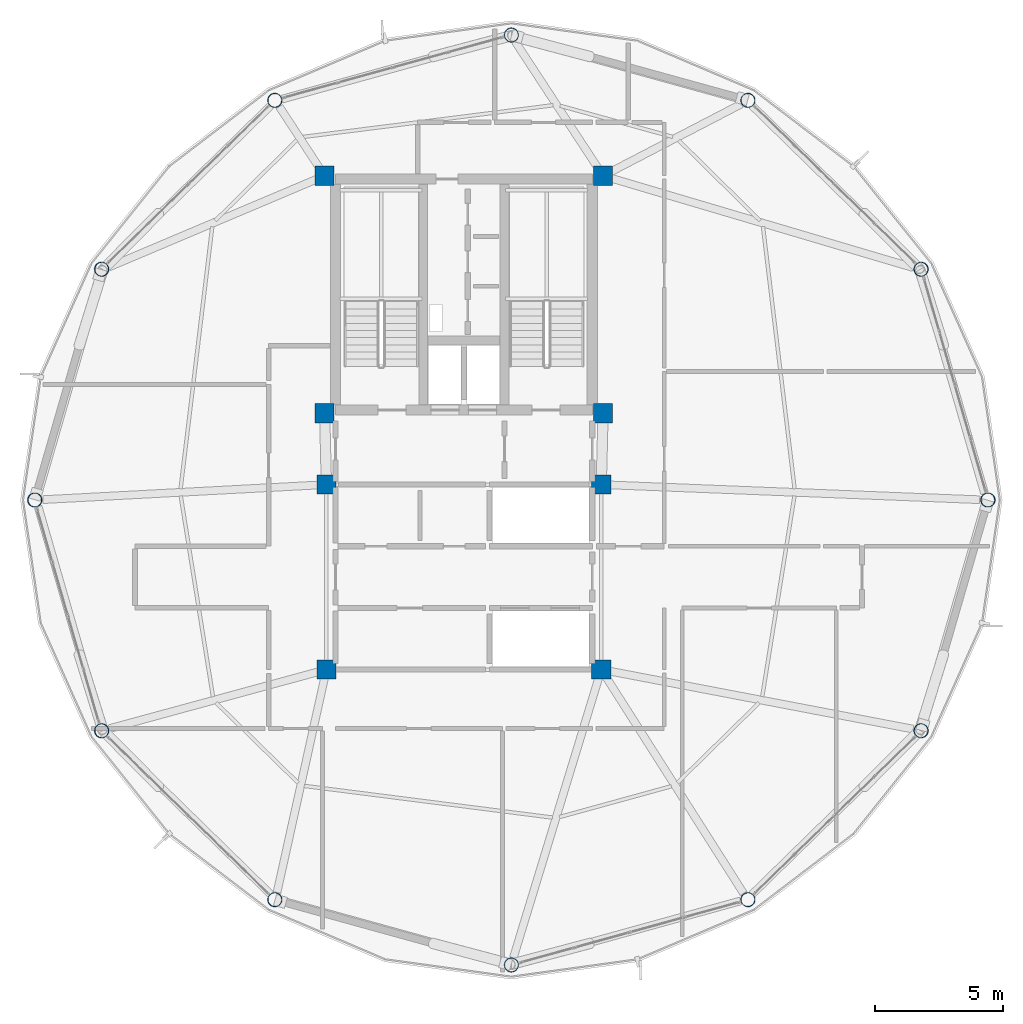
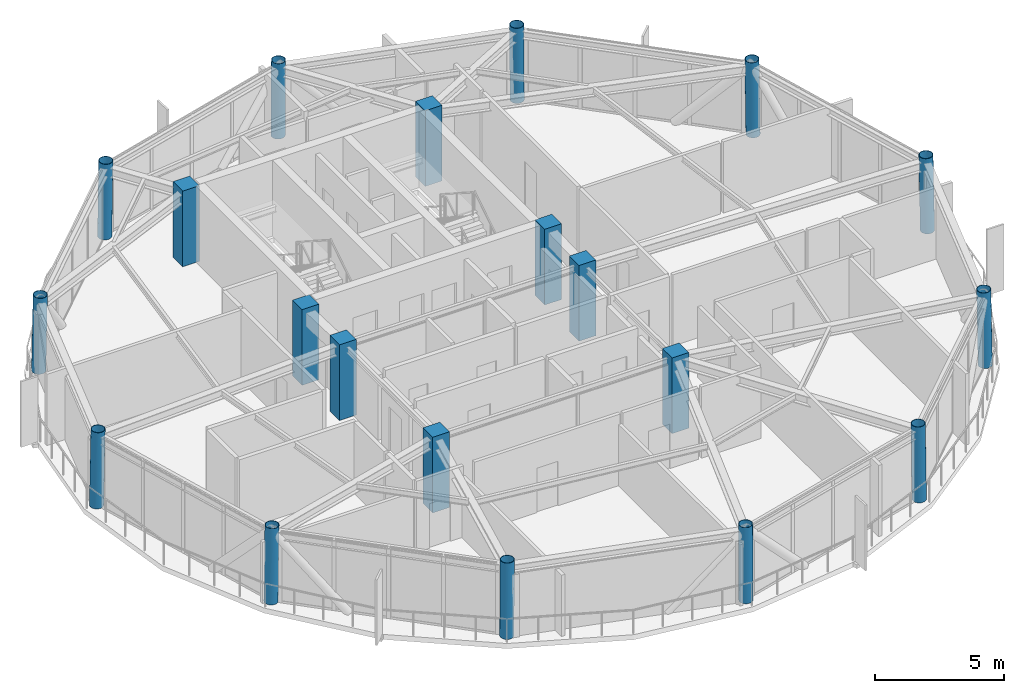
# One storey, part 1 of 27: 20 columns.
"""IFC4 building model written with IfcOpenShell, lengths in metres."""

from ifc_helpers import new_model, si_unit, direction, frame, origin, origin_2d, place, context, subcontext, project, spatial, rectangle, hollow_circle, extrude, material, material_profile, profile_set, type_object, element, save


model = new_model("IFC4")

# Units and contexts
model_context = context("Model", 3, precision=1e-05, world=origin(), true_north=direction((0.0, 1.0)))
body_context = subcontext(model_context, "Body", "Model", "MODEL_VIEW")
ifc_project = project(units=[si_unit("LENGTHUNIT", "METRE"), si_unit("AREAUNIT", "SQUARE_METRE"), si_unit("VOLUMEUNIT", "CUBIC_METRE"), si_unit("PLANEANGLEUNIT", "RADIAN"), si_unit("MASSUNIT", "GRAM", prefix="KILO")], contexts=[model_context])

# Site, building, storey
site_placement = place(None, origin())
site = spatial("IfcSite", under=ifc_project, at=site_placement, CompositionType="ELEMENT")
building_placement = place(site_placement, origin())
building = spatial("IfcBuilding", under=site, at=building_placement, Name="Varnakorn Sky Granary", CompositionType="ELEMENT")
storey_placement = place(building_placement, frame((0.0, 0.0, 245.39990234375)))
storey = spatial("IfcBuildingStorey", under=building, at=storey_placement, Name="L62", CompositionType="ELEMENT", Elevation=245.39990234375)

# Columns
ifc_material_1 = material(Name="Steel S460M", Category="steel")
ifc_material_profile_1 = material_profile(ifc_material_1, hollow_circle(Radius=0.279541015625, WallThickness=0.02001953125, at=origin_2d()), Name="CHS 559x20")
ifc_profile_set_1 = profile_set([ifc_material_profile_1], Name="Steel S460M")
column_type_1 = type_object("IfcColumnType", Name="COL-DC-Z5", PredefinedType="COLUMN", material=ifc_profile_set_1)
column_1_placement = place(storey_placement, frame((23.4130859375, 0.0, 0.0), z_axis=(-0.01904871465, 0.0, 0.999818556774), x_axis=(0.0, -1.0, 0.0)))
element("IfcColumn", 1, at=column_1_placement, inside=storey, type_object=column_type_1, Name="Drum Perimeter Column DC01 L62", PredefinedType="COLUMN", context=body_context, shape_type="SweptSolid", body=[
    extrude(hollow_circle(Radius=0.279541015625, WallThickness=0.02001953125, at=origin_2d()), origin(), (0.0, 0.0, 1.0), 3.575927734375),
])
column_2_placement = place(storey_placement, frame((20.80908203125, 8.985595703125, 0.0), z_axis=(-0.016454846564, -0.004642861271, 0.999853830249), x_axis=(0.271555014366, -0.962422918562, 0.0)))
element("IfcColumn", 2, at=column_2_placement, inside=storey, type_object=column_type_1, Name="Drum Perimeter Column DC02 L62", PredefinedType="COLUMN", context=body_context, shape_type="SweptSolid", body=[
    extrude(hollow_circle(Radius=0.279541015625, WallThickness=0.02001953125, at=origin_2d()), origin(), (0.0, 0.0, 1.0), 3.57568359375),
])
for number, where, z_axis, x_axis, name in (
    (3, (14.06396484375, 15.563232421875, 0.0), (-0.00949121678, -0.007920727673, 0.999923586519), (0.640727535954, -0.767768340497, 0.0), "Drum Perimeter Column DC03 L62"),
    (4, (4.85009765625, 18.10595703125, 0.0), (0.0, -0.00921840097, 0.999957509639), (1.0, 0.0, 0.0), "Drum Perimeter Column DC04 L62"),
    (5, (-4.364013671875, 15.563232421875, 0.0), (0.00949121678, -0.007920727673, 0.999923586519), (0.640727535954, 0.767768340497, 0.0), "Drum Perimeter Column DC05 L62"),
):
    element("IfcColumn", number, at=place(storey_placement, frame(where, z_axis=z_axis, x_axis=x_axis)), inside=storey, type_object=column_type_1, Name=name, PredefinedType="COLUMN", context=body_context, shape_type="SweptSolid", body=[
        extrude(hollow_circle(Radius=0.279541015625, WallThickness=0.02001953125, at=origin_2d()), origin(), (0.0, 0.0, 1.0), 3.575439453125),
    ])
column_3_placement = place(storey_placement, frame((-11.109130859375, 8.985595703125, 0.0), z_axis=(0.016454846564, -0.004642861271, 0.999853830249), x_axis=(0.271555014366, 0.962422918562, 0.0)))
element("IfcColumn", 6, at=column_3_placement, inside=storey, type_object=column_type_1, Name="Drum Perimeter Column DC06 L62", PredefinedType="COLUMN", context=body_context, shape_type="SweptSolid", body=[
    extrude(hollow_circle(Radius=0.279541015625, WallThickness=0.02001953125, at=origin_2d()), origin(), (0.0, 0.0, 1.0), 3.57568359375),
])
column_4_placement = place(storey_placement, frame((-13.712890625, 0.0, 0.0), z_axis=(0.018980464328, 0.0, 0.999819854761), x_axis=(0.0, 1.0, 0.0)))
element("IfcColumn", 7, at=column_4_placement, inside=storey, type_object=column_type_1, Name="Drum Perimeter Column DC07 L62", PredefinedType="COLUMN", context=body_context, shape_type="SweptSolid", body=[
    extrude(hollow_circle(Radius=0.279541015625, WallThickness=0.02001953125, at=origin_2d()), origin(), (0.0, 0.0, 1.0), 3.575927734375),
])
column_5_placement = place(storey_placement, frame((-11.109130859375, -8.985595703125, 0.0), z_axis=(0.016454846564, 0.004642861271, 0.999853830249), x_axis=(-0.271555014366, 0.962422918562, 0.0)))
element("IfcColumn", 8, at=column_5_placement, inside=storey, type_object=column_type_1, Name="Drum Perimeter Column DC08 L62", PredefinedType="COLUMN", context=body_context, shape_type="SweptSolid", body=[
    extrude(hollow_circle(Radius=0.279541015625, WallThickness=0.02001953125, at=origin_2d()), origin(), (0.0, 0.0, 1.0), 3.57568359375),
])
for number, where, z_axis, x_axis, name in (
    (9, (-4.364013671875, -15.563232421875, 0.0), (0.00949121678, 0.007920727673, 0.999923586519), (-0.640727535954, 0.767768340497, 0.0), "Drum Perimeter Column DC09 L62"),
    (10, (4.85009765625, -18.10595703125, 0.0), (0.0, 0.00921840097, 0.999957509639), (-1.0, 0.0, 0.0), "Drum Perimeter Column DC10 L62"),
    (11, (14.06396484375, -15.563232421875, 0.0), (-0.00949121678, 0.007920727673, 0.999923586519), (-0.640727535954, -0.767768340497, 0.0), "Drum Perimeter Column DC11 L62"),
):
    element("IfcColumn", number, at=place(storey_placement, frame(where, z_axis=z_axis, x_axis=x_axis)), inside=storey, type_object=column_type_1, Name=name, PredefinedType="COLUMN", context=body_context, shape_type="SweptSolid", body=[
        extrude(hollow_circle(Radius=0.279541015625, WallThickness=0.02001953125, at=origin_2d()), origin(), (0.0, 0.0, 1.0), 3.575439453125),
    ])
column_6_placement = place(storey_placement, frame((20.80908203125, -8.985595703125, 0.0), z_axis=(-0.016454846564, 0.004642861271, 0.999853830249), x_axis=(-0.271555014366, -0.962422918562, 0.0)))
element("IfcColumn", 12, at=column_6_placement, inside=storey, type_object=column_type_1, Name="Drum Perimeter Column DC12 L62", PredefinedType="COLUMN", context=body_context, shape_type="SweptSolid", body=[
    extrude(hollow_circle(Radius=0.279541015625, WallThickness=0.02001953125, at=origin_2d()), origin(), (0.0, 0.0, 1.0), 3.57568359375),
])
ifc_material_2 = material(Name="Concrete C50/60", Category="concrete")
ifc_material_profile_2 = material_profile(ifc_material_2, rectangle(XDim=0.75, YDim=0.75, at=origin_2d()), Name="RC 750x750")
ifc_profile_set_2 = profile_set([ifc_material_profile_2], Name="Concrete C50/60")
column_type_2 = type_object("IfcColumnType", Name="COL-MC-Z5", PredefinedType="COLUMN", material=ifc_profile_set_2)
for number, where, z_axis, x_axis, name in (
    (13, (-2.419921875, 12.6201171875, 0.0), (0.0, 0.0, 1.0), (1.0, 0.0, 0.0), "Backbone Mega-Column MC1 L62"),
    (14, (8.419921875, 12.6201171875, 0.0), (0.0, 0.0, 1.0), (1.0, 0.0, 0.0), "Backbone Mega-Column MC2 L62"),
    (15, (-2.419921875, 3.3798828125, 0.0), (0.0, 0.0, 1.0), (1.0, 0.0, 0.0), "Backbone Mega-Column MC3 L62"),
    (16, (8.419921875, 3.3798828125, 0.0), (0.0, 0.0, 1.0), (1.0, 0.0, 0.0), "Backbone Mega-Column MC4 L62"),
    (17, (-2.35009765625, 0.60009765625, 0.0), (0.0, 0.0, 1.0), (1.0, 0.0, 0.0), "Backbone Mega-Column MC5 L62"),
    (18, (8.35009765625, 0.60009765625, 0.0), (0.0, 0.0, 1.0), (1.0, 0.0, 0.0), "Backbone Mega-Column MC6 L62"),
    (19, (-2.35009765625, -6.60009765625, 0.0), (0.0, 0.0, 1.0), (1.0, 0.0, 0.0), "Backbone Mega-Column MC7 L62"),
    (20, (8.35009765625, -6.60009765625, 0.0), (0.0, 0.0, 1.0), (1.0, 0.0, 0.0), "Backbone Mega-Column MC8 L62"),
):
    element("IfcColumn", number, at=place(storey_placement, frame(where, z_axis=z_axis, x_axis=x_axis)), inside=storey, type_object=column_type_2, Name=name, PredefinedType="COLUMN", context=body_context, shape_type="SweptSolid", body=[
        extrude(rectangle(XDim=0.75, YDim=0.75, at=origin_2d()), origin(), (0.0, 0.0, 1.0), 3.5751953125),
    ])

save(model, "model.ifc")
